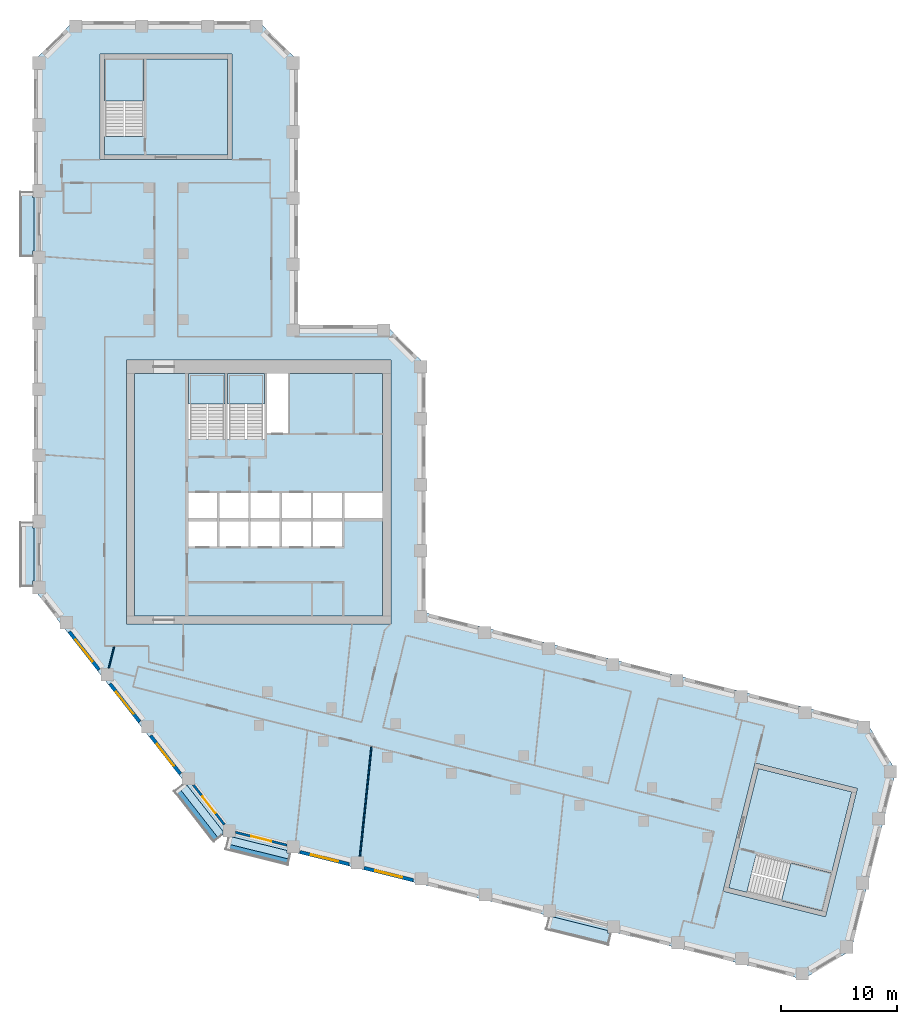
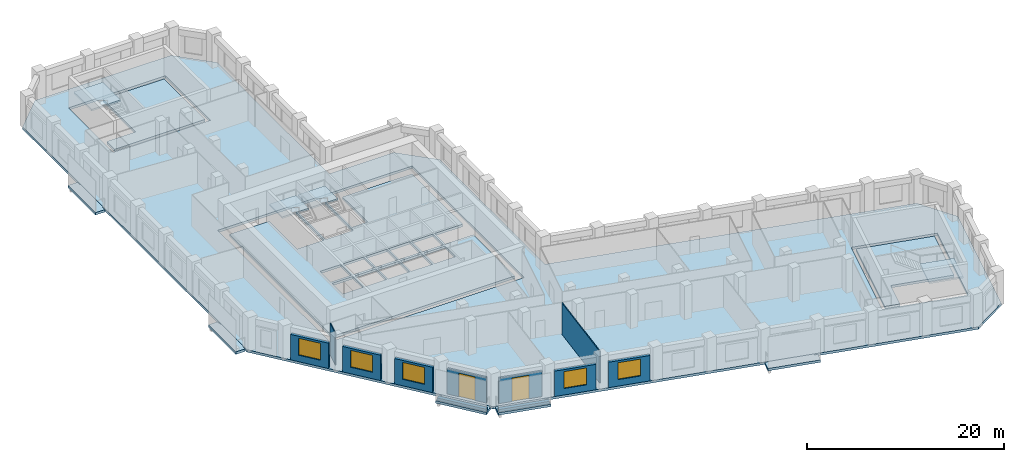
# One storey, part 2 of 10: 13 slabs, 11 walls, 5 windows, 2 doors, 7 openings, 4 elements without a shape of their own.
"""IFC4 building model written with IfcOpenShell, lengths in metres."""

from ifc_helpers import new_model, si_unit, direction, frame, frame_2d, origin, place, context, subcontext, project, spatial, polyline, rectangle, outline, extrude, material, layer, layer_set, type_object, element, fill, aggregate, save


model = new_model("IFC4")

# Units and contexts
model_context = context("Model", 3, precision=1e-05, world=origin(), true_north=direction((0.0, 1.0)))
body_context = subcontext(model_context, "Body", "Model", "MODEL_VIEW")
ifc_project = project(units=[si_unit("LENGTHUNIT", "METRE"), si_unit("AREAUNIT", "SQUARE_METRE"), si_unit("VOLUMEUNIT", "CUBIC_METRE"), si_unit("PLANEANGLEUNIT", "RADIAN"), si_unit("MASSUNIT", "GRAM", prefix="KILO")], contexts=[model_context])

# Site, building, storey
site_placement = place(None, origin())
site = spatial("IfcSite", under=ifc_project, at=site_placement, CompositionType="ELEMENT")
building_placement = place(site_placement, origin())
building = spatial("IfcBuilding", under=site, at=building_placement, Name="Meshkara Civic Tower", CompositionType="ELEMENT")
storey_placement = place(building_placement, frame((0.0, 0.0, 229.800048828125)))
storey = spatial("IfcBuildingStorey", under=building, at=storey_placement, Name="L52", CompositionType="ELEMENT", Elevation=229.800048828125)

# Slabs
ifc_material_1 = material(Name="Concrete C40", Category="concrete")
ifc_layer_1 = layer(ifc_material_1, 0.300048828125)
ifc_layer_set_1 = layer_set([ifc_layer_1], Name="BALCONY SLAB")
slab_type_1 = type_object("IfcSlabType", Name="BALCONY SLAB", PredefinedType="FLOOR", material=ifc_layer_set_1)
slab_1_placement = place(storey_placement, frame((0.0, 0.0, -0.300048828125)))
element("IfcSlab", 1, at=slab_1_placement, inside=storey, type_object=slab_type_1, Name="Balcony slab", PredefinedType="FLOOR", context=body_context, shape_type="SweptSolid", body=[
    extrude(outline(polyline([(-1.199951171875, 45.81494140625), (-1.199951171875, 51.39501953125), (-0.10009765625, 51.39501953125), (-0.10009765625, 50.905029296875), (0.0, 50.905029296875), (0.0, 46.304931640625), (-0.10009765625, 46.304931640625), (-0.10009765625, 45.81494140625), (-1.199951171875, 45.81494140625)])), origin(), (0.0, 0.0, 1.0), 0.300048828125),
])
slab_2_placement = place(storey_placement, frame((0.0, 0.0, -0.300048828125)))
element("IfcSlab", 2, at=slab_2_placement, inside=storey, type_object=slab_type_1, Name="Balcony slab", PredefinedType="FLOOR", context=body_context, shape_type="SweptSolid", body=[
    extrude(outline(polyline([(-1.199951171875, 17.31494140625), (-1.199951171875, 22.89501953125), (-0.10009765625, 22.89501953125), (-0.10009765625, 22.405029296875), (0.0, 22.405029296875), (0.0, 17.804931640625), (-0.10009765625, 17.804931640625), (-0.10009765625, 17.31494140625), (-1.199951171875, 17.31494140625)])), origin(), (0.0, 0.0, 1.0), 0.300048828125),
])
slab_3_placement = place(storey_placement, frame((0.0, 0.0, -0.300048828125)))
element("IfcSlab", 3, at=slab_3_placement, inside=storey, type_object=slab_type_1, Name="Balcony slab", PredefinedType="FLOOR", context=body_context, shape_type="SweptSolid", body=[
    extrude(outline(polyline([(15.513916015625, -4.7060546875), (12.0791015625, -0.30908203125), (12.7919921875, 0.248046875), (12.7919921875, 0.2041015625), (13.199951171875, 0.2041015625), (16.301025390625, -3.764892578125), (16.301025390625, -4.092041015625), (15.513916015625, -4.7060546875)])), origin(), (0.0, 0.0, 1.0), 0.300048828125),
])
slab_4_placement = place(storey_placement, frame((0.0, 0.0, -0.300048828125)))
element("IfcSlab", 4, at=slab_4_placement, inside=storey, type_object=slab_type_1, Name="Balcony slab", PredefinedType="FLOOR", context=body_context, shape_type="SweptSolid", body=[
    extrude(outline(polyline([(21.925048828125, -6.702880859375), (16.510009765625, -5.35302734375), (16.77587890625, -4.2880859375), (17.197998046875, -4.2880859375), (21.83203125, -5.443115234375), (21.83203125, -5.6669921875), (22.18310546875, -5.6669921875), (21.925048828125, -6.702880859375)])), origin(), (0.0, 0.0, 1.0), 0.300048828125),
])
slab_5_placement = place(storey_placement, frame((0.0, 0.0, -0.300048828125)))
element("IfcSlab", 5, at=slab_5_placement, inside=storey, type_object=slab_type_1, Name="Balcony slab", PredefinedType="FLOOR", context=body_context, shape_type="SweptSolid", body=[
    extrude(outline(polyline([(49.577880859375, -13.597900390625), (44.1640625, -12.248046875), (44.429931640625, -11.181884765625), (44.84912109375, -11.181884765625), (49.485107421875, -12.337890625), (49.485107421875, -12.56103515625), (49.8359375, -12.56103515625), (49.577880859375, -13.597900390625)])), origin(), (0.0, 0.0, 1.0), 0.300048828125),
])
ifc_material_2 = material(Name="Concrete C40/50", Category="concrete")
ifc_layer_2 = layer(ifc_material_2, 0.300048828125)
ifc_layer_set_2 = layer_set([ifc_layer_2], Name="Core floor slab 300 C40/50")
slab_type_2 = type_object("IfcSlabType", Name="Core floor slab 300 C40/50", PredefinedType="FLOOR", material=ifc_layer_set_2)
slab_6_placement = place(storey_placement, frame((0.0, 0.0, -0.300048828125)))
element("IfcSlab", 6, at=slab_6_placement, inside=storey, type_object=slab_type_2, Name="Core floor K", PredefinedType="FLOOR", context=body_context, shape_type="SweptSolid", body=[
    extrude(outline(polyline([(8.699951171875, 35.699951171875), (13.35009765625, 35.699951171875), (13.35009765625, 30.00146484375), (16.5, 30.00146484375), (16.5, 35.699951171875), (16.699951171875, 35.699951171875), (16.699951171875, 30.00146484375), (19.89990234375, 30.00146484375), (19.89990234375, 35.699951171875), (20.10009765625, 35.699951171875), (20.10009765625, 30.574951171875), (21.925048828125, 30.574951171875), (21.925048828125, 35.699951171875), (30.10009765625, 35.699951171875), (30.10009765625, 25.39990234375), (26.800048828125, 25.39990234375), (26.800048828125, 23.25), (30.10009765625, 23.25), (30.10009765625, 14.800048828125), (8.699951171875, 14.800048828125), (8.699951171875, 35.699951171875)]), holes=[polyline([(15.800048828125, 22.949951171875), (13.35009765625, 22.949951171875), (13.35009765625, 20.800048828125), (15.800048828125, 20.800048828125), (15.800048828125, 22.949951171875)]), polyline([(16.0, 22.949951171875), (16.0, 20.800048828125), (18.5, 20.800048828125), (18.5, 22.949951171875), (16.0, 22.949951171875)]), polyline([(18.699951171875, 22.949951171875), (18.699951171875, 20.800048828125), (21.199951171875, 20.800048828125), (21.199951171875, 22.949951171875), (18.699951171875, 22.949951171875)]), polyline([(15.800048828125, 23.25), (15.800048828125, 25.39990234375), (13.35009765625, 25.39990234375), (13.35009765625, 23.25), (15.800048828125, 23.25)]), polyline([(16.0, 25.39990234375), (16.0, 23.25), (18.5, 23.25), (18.5, 25.39990234375), (16.0, 25.39990234375)]), polyline([(21.39990234375, 20.800048828125), (23.89990234375, 20.800048828125), (23.89990234375, 22.949951171875), (21.39990234375, 22.949951171875), (21.39990234375, 20.800048828125)]), polyline([(24.10009765625, 20.800048828125), (26.60009765625, 20.800048828125), (26.60009765625, 22.949951171875), (24.10009765625, 22.949951171875), (24.10009765625, 20.800048828125)]), polyline([(18.699951171875, 25.39990234375), (18.699951171875, 23.25), (21.199951171875, 23.25), (21.199951171875, 25.39990234375), (18.699951171875, 25.39990234375)]), polyline([(21.39990234375, 25.39990234375), (21.39990234375, 23.25), (23.89990234375, 23.25), (23.89990234375, 25.39990234375), (21.39990234375, 25.39990234375)]), polyline([(24.10009765625, 23.25), (26.60009765625, 23.25), (26.60009765625, 25.39990234375), (24.10009765625, 25.39990234375), (24.10009765625, 23.25)])]), origin(), (0.0, 0.0, 1.0), 0.300048828125),
])
slab_7_placement = place(storey_placement, frame((0.0, 0.0, -0.300048828125)))
element("IfcSlab", 7, at=slab_7_placement, inside=storey, type_object=slab_type_2, Name="Core floor EA", PredefinedType="FLOOR", context=body_context, shape_type="SweptSolid", body=[
    extrude(outline(polyline([(16.699951171875, 54.570068359375), (16.699951171875, 62.8701171875), (9.5, 62.8701171875), (9.5, 56.17138671875), (6.10009765625, 56.17138671875), (6.10009765625, 54.570068359375), (16.699951171875, 54.570068359375)])), origin(), (0.0, 0.0, 1.0), 0.300048828125),
])
slab_8_placement = place(storey_placement, frame((0.0, 0.0, -0.300048828125)))
element("IfcSlab", 8, at=slab_8_placement, inside=storey, type_object=slab_type_2, Name="Core floor EB", PredefinedType="FLOOR", context=body_context, shape_type="SweptSolid", body=[
    extrude(outline(polyline([(62.519775390625, 1.623291015625), (70.5732421875, -0.384765625), (68.83154296875, -7.370849609375), (62.33203125, -5.750244140625), (61.50927734375, -9.04931640625), (59.95556640625, -8.661865234375), (62.519775390625, 1.623291015625)])), origin(), (0.0, 0.0, 1.0), 0.300048828125),
])

# Stair, slab
ifc_material_3 = material(Name="Precast concrete C40/50", Category="concrete")
stair_type_1 = type_object("IfcStairType", Name="Exit stair half-turn 24 risers precast", PredefinedType="HALF_TURN_STAIR", material=ifc_material_3)
stair_1_placement = place(storey_placement, origin())
stair_1 = element("IfcStair", 9, at=stair_1_placement, inside=storey, type_object=stair_type_1, Name="L52 exit stair 1", PredefinedType="HALF_TURN_STAIR")
ifc_material_4 = material(Name="Precast concrete C40/50", Category="concrete")
ifc_layer_3 = layer(ifc_material_4, 0.199951171875)
ifc_layer_set_3 = layer_set([ifc_layer_3], Name="Exit stair landing 200")
slab_type_3 = type_object("IfcSlabType", Name="Exit stair landing 200", PredefinedType="LANDING", material=ifc_layer_set_3)
slab_9_placement = place(storey_placement, frame((0.0, 0.0, 1.89990234375)))
slab_9 = element("IfcSlab", 10, at=slab_9_placement, type_object=slab_type_3, Name="ST1 landing 1", PredefinedType="LANDING", context=body_context, shape_type="SweptSolid", body=[
    extrude(outline(polyline([(16.5, 33.07861328125), (16.5, 35.699951171875), (13.35009765625, 35.699951171875), (13.35009765625, 33.07861328125), (16.5, 33.07861328125)])), origin(), (0.0, 0.0, 1.0), 0.199951171875),
])
aggregate(stair_1, [slab_9])

stair_2_placement = place(storey_placement, origin())
stair_2 = element("IfcStair", 11, at=stair_2_placement, inside=storey, type_object=stair_type_1, Name="L52 exit stair 2", PredefinedType="HALF_TURN_STAIR")
slab_10_placement = place(storey_placement, frame((0.0, 0.0, 1.89990234375)))
slab_10 = element("IfcSlab", 12, at=slab_10_placement, type_object=slab_type_3, Name="ST2 landing 1", PredefinedType="LANDING", context=body_context, shape_type="SweptSolid", body=[
    extrude(outline(polyline([(19.89990234375, 33.07861328125), (19.89990234375, 35.699951171875), (16.699951171875, 35.699951171875), (16.699951171875, 33.07861328125), (19.89990234375, 33.07861328125)])), origin(), (0.0, 0.0, 1.0), 0.199951171875),
])
aggregate(stair_2, [slab_10])

ifc_material_5 = material(Name="Precast concrete C40/50", Category="concrete")
stair_type_2 = type_object("IfcStairType", Name="Exit stair half-turn 24 risers 1600 precast", PredefinedType="HALF_TURN_STAIR", material=ifc_material_5)
stair_3_placement = place(storey_placement, origin())
stair_3 = element("IfcStair", 13, at=stair_3_placement, inside=storey, type_object=stair_type_2, Name="L52 exit stair A from L50", PredefinedType="HALF_TURN_STAIR")
slab_11_placement = place(storey_placement, frame((0.0, 0.0, 1.89990234375)))
slab_11 = element("IfcSlab", 14, at=slab_11_placement, type_object=slab_type_3, Name="ESA4 landing 1", PredefinedType="LANDING", context=body_context, shape_type="SweptSolid", body=[
    extrude(outline(polyline([(9.5, 59.24853515625), (9.5, 62.8701171875), (6.10009765625, 62.8701171875), (6.10009765625, 59.24853515625), (9.5, 59.24853515625)])), origin(), (0.0, 0.0, 1.0), 0.199951171875),
])
aggregate(stair_3, [slab_11])

stair_4_placement = place(storey_placement, origin())
stair_4 = element("IfcStair", 15, at=stair_4_placement, inside=storey, type_object=stair_type_2, Name="L52 exit stair B from L50", PredefinedType="HALF_TURN_STAIR")
slab_12_placement = place(storey_placement, frame((0.0, 0.0, 1.89990234375)))
slab_12 = element("IfcSlab", 16, at=slab_12_placement, type_object=slab_type_3, Name="ESB4 landing 1", PredefinedType="LANDING", context=body_context, shape_type="SweptSolid", body=[
    extrude(outline(polyline([(64.49462890625, -9.794677734375), (68.0087890625, -10.67138671875), (68.83203125, -7.371337890625), (65.318115234375, -6.49462890625), (64.49462890625, -9.794677734375)])), origin(), (0.0, 0.0, 1.0), 0.199951171875),
])
aggregate(stair_4, [slab_12])

# Slab
ifc_material_6 = material(Name="Concrete C50", Category="concrete")
ifc_layer_4 = layer(ifc_material_6, 0.300048828125)
ifc_layer_set_4 = layer_set([ifc_layer_4], Name="Post-tensioned flat slab 300 C50")
slab_type_4 = type_object("IfcSlabType", Name="Post-tensioned flat slab 300 C50", PredefinedType="FLOOR", material=ifc_layer_set_4)
slab_13_placement = place(storey_placement, frame((0.0, 0.0, -0.300048828125)))
element("IfcSlab", 17, at=slab_13_placement, inside=storey, type_object=slab_type_4, Name="Post-tensioned flat slab L52", PredefinedType="FLOOR", context=body_context, shape_type="SweptSolid", body=[
    extrude(outline(polyline([(70.513916015625, -14.055908203125), (66.367919921875, -16.547119140625), (16.592041015625, -4.136962890625), (0.0, 17.10009765625), (0.0, 62.699951171875), (3.419921875, 66.1201171875), (19.3798828125, 66.1201171875), (22.800048828125, 62.699951171875), (22.800048828125, 39.89990234375), (30.3798828125, 39.89990234375), (33.800048828125, 36.47998046875), (33.800048828125, 15.071044921875), (71.884033203125, 5.574951171875), (74.375, 1.429931640625), (70.513916015625, -14.055908203125)]), holes=[polyline([(68.300048828125, -11.155029296875), (71.05810546875, -0.093017578125), (62.22802734375, 2.10791015625), (59.470947265625, -8.952880859375), (68.300048828125, -11.155029296875)]), polyline([(8.0, 14.10009765625), (30.800048828125, 14.10009765625), (30.800048828125, 36.89990234375), (8.0, 36.89990234375), (8.0, 14.10009765625)]), polyline([(5.699951171875, 63.27001953125), (5.699951171875, 54.169921875), (17.10009765625, 54.169921875), (17.10009765625, 63.27001953125), (5.699951171875, 63.27001953125)])]), origin(), (0.0, 0.0, 1.0), 0.300048828125),
])

# Wall, opening, window
ifc_material_7 = material(Name="Insulated infill panel with bronze anodised aluminium cladding", Category="aluminium")
ifc_layer_5 = layer(ifc_material_7, 0.300048828125)
ifc_layer_set_5 = layer_set([ifc_layer_5], Name="EXTERNAL INFILL WALL 300")
wall_type_1 = type_object("IfcWallType", Name="EXTERNAL INFILL WALL 300", PredefinedType="SOLIDWALL", material=ifc_layer_set_5)
wall_1_placement = place(storey_placement, frame((3.052978515625, 13.43603515625, 0.0), z_axis=(0.0, 0.0, 1.0), x_axis=(0.615699893917, -0.787980736205, 0.0)))
wall_1 = element("IfcWall", 18, at=wall_1_placement, inside=storey, type_object=wall_type_1, Name="External wall", PredefinedType="SOLIDWALL", context=body_context, shape_type="SweptSolid", body=[
    extrude(rectangle(XDim=4.156494140625, YDim=0.300048828125, at=frame_2d((2.078125, 0.0))), origin(), (0.0, 0.0, 1.0), 3.14990234375),
])
opening_1_placement = place(wall_1_placement, frame((0.8779296875, 0.0, 0.800048828125)))
opening_1 = element("IfcOpeningElement", 19, at=opening_1_placement, cuts=wall_1, Name="Opening W7", PredefinedType="OPENING", context=body_context, shape_type="SweptSolid", body=[
    extrude(rectangle(XDim=2.39990234375, YDim=2.10009765625, at=frame_2d((1.199951171875, 1.050048828125))), frame((0.0, 0.159912109375, 0.0), z_axis=(0.0, -1.0, 0.0), x_axis=(1.0, 0.0, 0.0)), (0.0, 0.0, 1.0), 0.320068359375),
])
ifc_material_8 = material(Name="Tinted double glazing", Category="glass")
window_type = type_object("IfcWindowType", Name="WINDOW 2400x2100", PartitioningType="DOUBLE_PANEL_VERTICAL", PredefinedType="WINDOW", material=ifc_material_8)
window_1_placement = place(opening_1_placement, origin())
window_1 = element("IfcWindow", 20, at=window_1_placement, inside=storey, type_object=window_type, Name="Window", OverallHeight=2.10009765625, OverallWidth=2.39990234375, PartitioningType="DOUBLE_PANEL_VERTICAL", PredefinedType="WINDOW", context=body_context, shape_type="SweptSolid", body=[
    extrude(rectangle(XDim=2.39990234375, YDim=2.10009765625, at=frame_2d((1.199951171875, 1.050048828125))), frame((0.0, 0.030029296875, 0.0), z_axis=(0.0, -1.0, 0.0), x_axis=(1.0, 0.0, 0.0)), (0.0, 0.0, 1.0), 0.06005859375),
])
fill(opening_1, window_1)

wall_2_placement = place(storey_placement, frame((6.56201171875, 8.944091796875, 0.0), z_axis=(0.0, 0.0, 1.0), x_axis=(0.615699893917, -0.787980736205, 0.0)))
wall_2 = element("IfcWall", 21, at=wall_2_placement, inside=storey, type_object=wall_type_1, Name="External wall", PredefinedType="SOLIDWALL", context=body_context, shape_type="SweptSolid", body=[
    extrude(rectangle(XDim=4.156494140625, YDim=0.300048828125, at=frame_2d((2.078125, 0.0))), origin(), (0.0, 0.0, 1.0), 3.14990234375),
])
opening_2_placement = place(wall_2_placement, frame((0.8779296875, 0.0, 0.800048828125)))
opening_2 = element("IfcOpeningElement", 22, at=opening_2_placement, cuts=wall_2, Name="Opening W7", PredefinedType="OPENING", context=body_context, shape_type="SweptSolid", body=[
    extrude(rectangle(XDim=2.39990234375, YDim=2.10009765625, at=frame_2d((1.199951171875, 1.050048828125))), frame((0.0, 0.159912109375, 0.0), z_axis=(0.0, -1.0, 0.0), x_axis=(1.0, 0.0, 0.0)), (0.0, 0.0, 1.0), 0.320068359375),
])
window_2_placement = place(opening_2_placement, origin())
window_2 = element("IfcWindow", 23, at=window_2_placement, inside=storey, type_object=window_type, Name="Window", OverallHeight=2.10009765625, OverallWidth=2.39990234375, PartitioningType="DOUBLE_PANEL_VERTICAL", PredefinedType="WINDOW", context=body_context, shape_type="SweptSolid", body=[
    extrude(rectangle(XDim=2.39990234375, YDim=2.10009765625, at=frame_2d((1.199951171875, 1.050048828125))), frame((0.0, 0.030029296875, 0.0), z_axis=(0.0, -1.0, 0.0), x_axis=(1.0, 0.0, 0.0)), (0.0, 0.0, 1.0), 0.06005859375),
])
fill(opening_2, window_2)

wall_3_placement = place(storey_placement, frame((10.072021484375, 4.451904296875, 0.0), z_axis=(0.0, 0.0, 1.0), x_axis=(0.615660006568, -0.788011901124, 0.0)))
wall_3 = element("IfcWall", 24, at=wall_3_placement, inside=storey, type_object=wall_type_1, Name="External wall", PredefinedType="SOLIDWALL", context=body_context, shape_type="SweptSolid", body=[
    extrude(rectangle(XDim=4.15478515625, YDim=0.300048828125, at=frame_2d((2.077392578125, 0.0))), origin(), (0.0, 0.0, 1.0), 3.14990234375),
])
opening_3_placement = place(wall_3_placement, frame((0.8779296875, 0.0, 0.800048828125)))
opening_3 = element("IfcOpeningElement", 25, at=opening_3_placement, cuts=wall_3, Name="Opening W7", PredefinedType="OPENING", context=body_context, shape_type="SweptSolid", body=[
    extrude(rectangle(XDim=2.39990234375, YDim=2.10009765625, at=frame_2d((1.199951171875, 1.050048828125))), frame((0.0, 0.159912109375, 0.0), z_axis=(0.0, -1.0, 0.0), x_axis=(1.0, 0.0, 0.0)), (0.0, 0.0, 1.0), 0.320068359375),
])
window_3_placement = place(opening_3_placement, origin())
window_3 = element("IfcWindow", 26, at=window_3_placement, inside=storey, type_object=window_type, Name="Window", OverallHeight=2.10009765625, OverallWidth=2.39990234375, PartitioningType="DOUBLE_PANEL_VERTICAL", PredefinedType="WINDOW", context=body_context, shape_type="SweptSolid", body=[
    extrude(rectangle(XDim=2.39990234375, YDim=2.10009765625, at=frame_2d((1.199951171875, 1.050048828125))), frame((0.0, 0.030029296875, 0.0), z_axis=(0.0, -1.0, 0.0), x_axis=(1.0, 0.0, 0.0)), (0.0, 0.0, 1.0), 0.06005859375),
])
fill(opening_3, window_3)

wall_4_placement = place(storey_placement, frame((22.9560546875, -5.569091796875, 0.0), z_axis=(0.0, 0.0, 1.0), x_axis=(0.970323116569, -0.241812012628, 0.0)))
wall_4 = element("IfcWall", 27, at=wall_4_placement, inside=storey, type_object=wall_type_1, Name="External wall", PredefinedType="SOLIDWALL", context=body_context, shape_type="SweptSolid", body=[
    extrude(rectangle(XDim=4.36669921875, YDim=0.300048828125, at=frame_2d((2.183349609375, 0.0))), origin(), (0.0, 0.0, 1.0), 3.14990234375),
])
opening_4_placement = place(wall_4_placement, frame((0.98291015625, 0.0, 0.800048828125)))
opening_4 = element("IfcOpeningElement", 28, at=opening_4_placement, cuts=wall_4, Name="Opening W7", PredefinedType="OPENING", context=body_context, shape_type="SweptSolid", body=[
    extrude(rectangle(XDim=2.39990234375, YDim=2.10009765625, at=frame_2d((1.199951171875, 1.050048828125))), frame((0.0, 0.159912109375, 0.0), z_axis=(0.0, -1.0, 0.0), x_axis=(1.0, 0.0, 0.0)), (0.0, 0.0, 1.0), 0.320068359375),
])
window_4_placement = place(opening_4_placement, origin())
window_4 = element("IfcWindow", 29, at=window_4_placement, inside=storey, type_object=window_type, Name="Window", OverallHeight=2.10009765625, OverallWidth=2.39990234375, PartitioningType="DOUBLE_PANEL_VERTICAL", PredefinedType="WINDOW", context=body_context, shape_type="SweptSolid", body=[
    extrude(rectangle(XDim=2.39990234375, YDim=2.10009765625, at=frame_2d((1.199951171875, 1.050048828125))), frame((0.0, 0.030029296875, 0.0), z_axis=(0.0, -1.0, 0.0), x_axis=(1.0, 0.0, 0.0)), (0.0, 0.0, 1.0), 0.06005859375),
])
fill(opening_4, window_4)

wall_5_placement = place(storey_placement, frame((28.486083984375, -6.947998046875, 0.0), z_axis=(0.0, 0.0, 1.0), x_axis=(0.970336189295, -0.241759549438, 0.0)))
wall_5 = element("IfcWall", 30, at=wall_5_placement, inside=storey, type_object=wall_type_1, Name="External wall", PredefinedType="SOLIDWALL", context=body_context, shape_type="SweptSolid", body=[
    extrude(rectangle(XDim=4.36767578125, YDim=0.300048828125, at=frame_2d((2.183837890625, 0.0))), origin(), (0.0, 0.0, 1.0), 3.14990234375),
])
opening_5_placement = place(wall_5_placement, frame((0.98291015625, 0.0, 0.800048828125)))
opening_5 = element("IfcOpeningElement", 31, at=opening_5_placement, cuts=wall_5, Name="Opening W7", PredefinedType="OPENING", context=body_context, shape_type="SweptSolid", body=[
    extrude(rectangle(XDim=2.39990234375, YDim=2.10009765625, at=frame_2d((1.199951171875, 1.050048828125))), frame((0.0, 0.159912109375, 0.0), z_axis=(0.0, -1.0, 0.0), x_axis=(1.0, 0.0, 0.0)), (0.0, 0.0, 1.0), 0.320068359375),
])
window_5_placement = place(opening_5_placement, origin())
window_5 = element("IfcWindow", 32, at=window_5_placement, inside=storey, type_object=window_type, Name="Window", OverallHeight=2.10009765625, OverallWidth=2.39990234375, PartitioningType="DOUBLE_PANEL_VERTICAL", PredefinedType="WINDOW", context=body_context, shape_type="SweptSolid", body=[
    extrude(rectangle(XDim=2.39990234375, YDim=2.10009765625, at=frame_2d((1.199951171875, 1.050048828125))), frame((0.0, 0.030029296875, 0.0), z_axis=(0.0, -1.0, 0.0), x_axis=(1.0, 0.0, 0.0)), (0.0, 0.0, 1.0), 0.06005859375),
])
fill(opening_5, window_5)

# Wall, opening, door
ifc_material_9 = material(Name="Insulated infill panel with bronze anodised aluminium cladding", Category="aluminium")
ifc_layer_6 = layer(ifc_material_9, 0.199951171875)
ifc_layer_set_6 = layer_set([ifc_layer_6], Name="LOGGIA BACK WALL 200")
wall_type_2 = type_object("IfcWallType", Name="LOGGIA BACK WALL 200", PredefinedType="SOLIDWALL", material=ifc_layer_set_6)
wall_6_placement = place(storey_placement, frame((13.77197265625, 0.2041015625, 0.0), z_axis=(0.0, 0.0, 1.0), x_axis=(0.615478906808, -0.788153357713, 0.0)))
wall_6 = element("IfcWall", 33, at=wall_6_placement, inside=storey, type_object=wall_type_2, Name="Loggia wall", PredefinedType="SOLIDWALL", context=body_context, shape_type="SweptSolid", body=[
    extrude(rectangle(XDim=4.303955078125, YDim=0.199951171875, at=frame_2d((2.15185546875, 0.0))), origin(), (0.0, 0.0, 1.0), 3.14990234375),
])
opening_6_placement = place(wall_6_placement, frame((1.251953125, 0.0, 0.0)))
opening_6 = element("IfcOpeningElement", 34, at=opening_6_placement, cuts=wall_6, Name="Opening L52-L003", PredefinedType="OPENING", context=body_context, shape_type="SweptSolid", body=[
    extrude(rectangle(XDim=1.800048828125, YDim=2.89990234375, at=frame_2d((0.89990234375, 1.449951171875))), frame((0.0, 0.10986328125, 0.0), z_axis=(0.0, -1.0, 0.0), x_axis=(1.0, 0.0, 0.0)), (0.0, 0.0, 1.0), 0.219970703125),
])
ifc_material_10 = material(Name="Tinted double glazing", Category="glass")
door_type = type_object("IfcDoorType", Name="LOGGIA DOOR 1800x2900", OperationType="DOUBLE_DOOR_SINGLE_SWING", PredefinedType="DOOR", material=ifc_material_10)
door_1_placement = place(opening_6_placement, origin())
door_1 = element("IfcDoor", 35, at=door_1_placement, inside=storey, type_object=door_type, Name="L52-L003", OperationType="DOUBLE_DOOR_SINGLE_SWING", OverallHeight=2.89990234375, OverallWidth=1.800048828125, PredefinedType="DOOR", context=body_context, shape_type="SweptSolid", body=[
    extrude(rectangle(XDim=1.800048828125, YDim=2.89990234375, at=frame_2d((0.89990234375, 1.449951171875))), frame((0.0, 0.02490234375, 0.0), z_axis=(0.0, -1.0, 0.0), x_axis=(1.0, 0.0, 0.0)), (0.0, 0.0, 1.0), 0.050048828125),
])
fill(opening_6, door_1)

wall_7_placement = place(storey_placement, frame((17.40087890625, -3.875, 0.0), z_axis=(0.0, 0.0, 1.0), x_axis=(0.970286982272, -0.241956963183, 0.0)))
wall_7 = element("IfcWall", 36, at=wall_7_placement, inside=storey, type_object=wall_type_2, Name="Loggia wall", PredefinedType="SOLIDWALL", context=body_context, shape_type="SweptSolid", body=[
    extrude(rectangle(XDim=4.56689453125, YDim=0.199951171875, at=frame_2d((2.283447265625, 0.0))), origin(), (0.0, 0.0, 1.0), 3.14990234375),
])
opening_7_placement = place(wall_7_placement, frame((1.383056640625, 0.0, 0.0)))
opening_7 = element("IfcOpeningElement", 37, at=opening_7_placement, cuts=wall_7, Name="Opening L52-L004", PredefinedType="OPENING", context=body_context, shape_type="SweptSolid", body=[
    extrude(rectangle(XDim=1.800048828125, YDim=2.89990234375, at=frame_2d((0.89990234375, 1.449951171875))), frame((0.0, 0.10986328125, 0.0), z_axis=(0.0, -1.0, 0.0), x_axis=(1.0, 0.0, 0.0)), (0.0, 0.0, 1.0), 0.219970703125),
])
door_2_placement = place(opening_7_placement, origin())
door_2 = element("IfcDoor", 38, at=door_2_placement, inside=storey, type_object=door_type, Name="L52-L004", OperationType="DOUBLE_DOOR_SINGLE_SWING", OverallHeight=2.89990234375, OverallWidth=1.800048828125, PredefinedType="DOOR", context=body_context, shape_type="SweptSolid", body=[
    extrude(rectangle(XDim=1.800048828125, YDim=2.89990234375, at=frame_2d((0.89990234375, 1.449951171875))), frame((0.0, 0.02490234375, 0.0), z_axis=(0.0, -1.0, 0.0), x_axis=(1.0, 0.0, 0.0)), (0.0, 0.0, 1.0), 0.050048828125),
])
fill(opening_7, door_2)

# Walls
ifc_material_11 = material(Name="Concrete C40", Category="concrete")
ifc_layer_7 = layer(ifc_material_11, 0.39990234375)
ifc_layer_set_7 = layer_set([ifc_layer_7], Name="PLANTER TRAY")
wall_type_3 = type_object("IfcWallType", Name="PLANTER TRAY", PredefinedType="SOLIDWALL", material=ifc_layer_set_7)
wall_8_placement = place(storey_placement, frame((12.39794921875, -0.198974609375, 0.0), z_axis=(0.0, 0.0, 1.0), x_axis=(0.615638738903, -0.788028516719, 0.0)))
element("IfcWall", 39, at=wall_8_placement, inside=storey, type_object=wall_type_3, Name="Planter", PredefinedType="SOLIDWALL", context=body_context, shape_type="SweptSolid", body=[
    extrude(rectangle(XDim=5.3603515625, YDim=0.39990234375, at=frame_2d((2.68017578125, 0.0))), origin(), (0.0, 0.0, 1.0), 0.300048828125),
])
wall_9_placement = place(storey_placement, frame((16.694091796875, -5.069091796875, 0.0), z_axis=(0.0, 0.0, 1.0), x_axis=(0.970289679319, -0.241946147329, 0.0)))
element("IfcWall", 40, at=wall_9_placement, inside=storey, type_object=wall_type_3, Name="Planter", PredefinedType="SOLIDWALL", context=body_context, shape_type="SweptSolid", body=[
    extrude(rectangle(XDim=5.360107421875, YDim=0.39990234375, at=frame_2d((2.68017578125, 0.0))), origin(), (0.0, 0.0, 1.0), 0.300048828125),
])
ifc_material_12 = material(Name="Partition 100")
ifc_layer_8 = layer(ifc_material_12, 0.10009765625)
ifc_layer_set_8 = layer_set([ifc_layer_8], Name="Partition 100")
wall_type_4 = type_object("IfcWallType", Name="Partition 100", PredefinedType="PARTITIONING", material=ifc_layer_set_8)
wall_10_placement = place(storey_placement, frame((6.922119140625, 12.137939453125, 0.0), z_axis=(0.0, 0.0, 1.0), x_axis=(-0.242264600824, -0.970210215978, 0.0)))
element("IfcWall", 41, at=wall_10_placement, inside=storey, type_object=wall_type_4, Name="L52-W045", PredefinedType="PARTITIONING", context=body_context, shape_type="SweptSolid", body=[
    extrude(rectangle(XDim=1.90771484375, YDim=0.10009765625, at=frame_2d((0.953857421875, 0.0))), origin(), (0.0, 0.0, 1.0), 3.89990234375),
])
wall_11_placement = place(storey_placement, frame((28.132080078125, -5.946044921875, 0.0), z_axis=(0.0, 0.0, 1.0), x_axis=(0.104469291407, 0.994528112802, 0.0)))
element("IfcWall", 42, at=wall_11_placement, inside=storey, type_object=wall_type_4, Name="L52-W051", PredefinedType="PARTITIONING", context=body_context, shape_type="SweptSolid", body=[
    extrude(rectangle(XDim=9.4951171875, YDim=0.10009765625, at=frame_2d((4.74755859375, 0.0))), origin(), (0.0, 0.0, 1.0), 3.89990234375),
])

save(model, "model.ifc")
